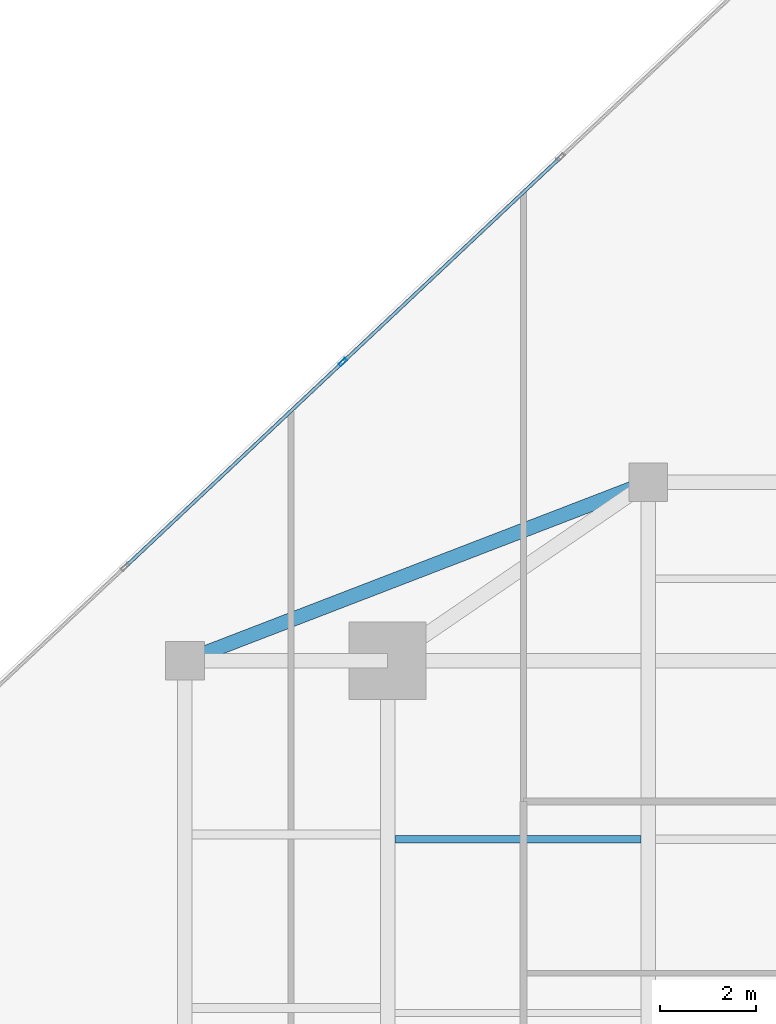
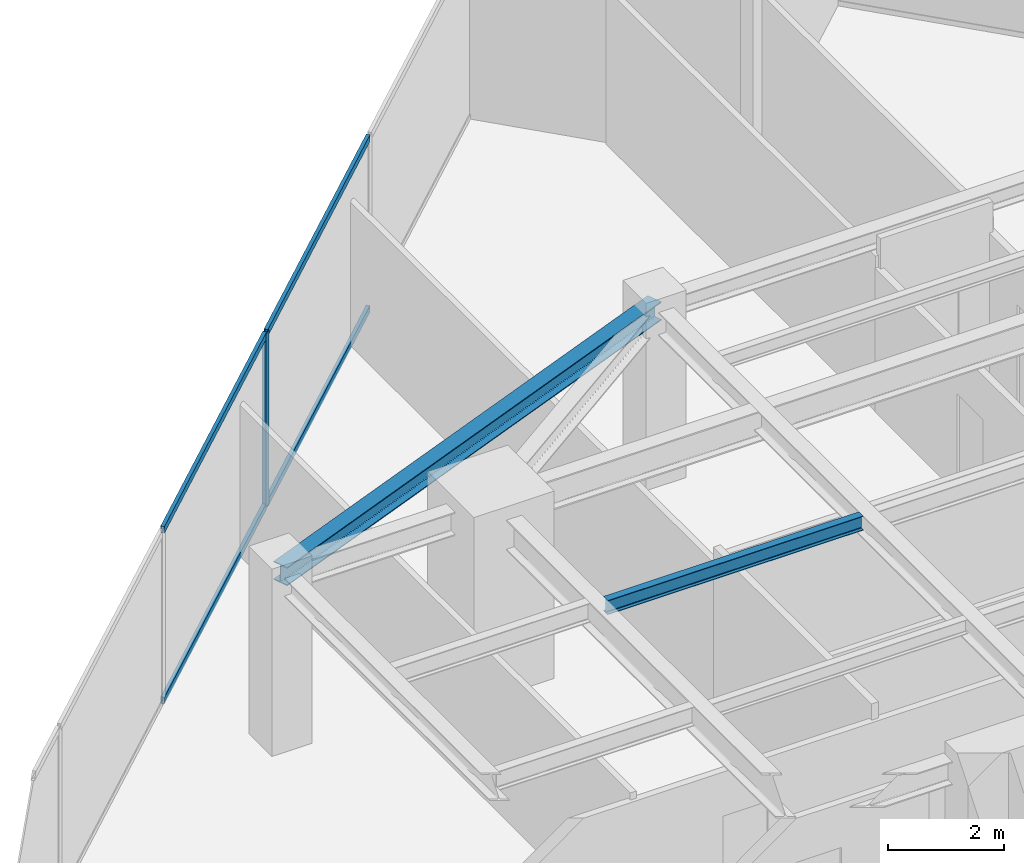
# One storey, part 14 of 25: 5 members, 2 beams, 1 element without a shape of its own.
"""IFC4 building model written with IfcOpenShell, lengths in metres."""

from ifc_helpers import new_model, si_unit, direction, frame, origin, origin_2d, place, context, subcontext, project, spatial, hollow_rectangle, i_section, extrude, source, transform, mapped, material, material_profile, profile_set, type_object, type_shapes, element, aggregate, save


model = new_model("IFC4")

# Units and contexts
model_context = context("Model", 3, precision=1e-05, world=origin(), true_north=direction((0.0, 1.0)))
body_context = subcontext(model_context, "Body", "Model", "MODEL_VIEW")
ifc_project = project(units=[si_unit("LENGTHUNIT", "METRE"), si_unit("AREAUNIT", "SQUARE_METRE"), si_unit("VOLUMEUNIT", "CUBIC_METRE"), si_unit("PLANEANGLEUNIT", "RADIAN"), si_unit("MASSUNIT", "GRAM", prefix="KILO")], contexts=[model_context])

# Site, building, storey
site_placement = place(None, origin())
site = spatial("IfcSite", under=ifc_project, at=site_placement, CompositionType="ELEMENT")
building_placement = place(site_placement, origin())
building = spatial("IfcBuilding", under=site, at=building_placement, Name="Krantzveldt Concourse Tower", CompositionType="ELEMENT")
storey_placement = place(building_placement, frame((0.0, 0.0, 238.89990234375)))
storey = spatial("IfcBuildingStorey", under=building, at=storey_placement, Name="L58", CompositionType="ELEMENT", Elevation=238.89990234375)

# Beams
ifc_material_1 = material(Name="Steel S355JR", Category="steel")
ifc_material_profile_1 = material_profile(ifc_material_1, i_section(OverallWidth=0.300048828125, OverallDepth=0.389892578125, WebThickness=0.010986328125, FlangeThickness=0.01904296875, FilletRadius=0.027099609375, at=origin_2d()), Name="Steel S355JR", Category="steel")
ifc_profile_set_1 = profile_set([ifc_material_profile_1], Name="Steel S355JR - HEA 400")
beam_type_1 = type_object("IfcBeamType", Name="BM-SP-HEA400", PredefinedType="SPANDREL", material=ifc_profile_set_1)
shared_shape_1 = source(origin(), body_context, "Body", "SweptSolid", [
    extrude(i_section(OverallWidth=0.300048828125, OverallDepth=0.389892578125, WebThickness=0.010986328125, FlangeThickness=0.01904296875, FilletRadius=0.027099609375, at=origin_2d()), origin(), (0.0, 0.0, 1.0), 10.288330078125),
])
type_shapes(beam_type_1, [shared_shape_1])
beam_1_placement = place(storey_placement, frame((21.0, 37.5, 3.47509765625), z_axis=(0.933097690408, 0.359622997257, 0.0), x_axis=(-0.359622997257, 0.933097690408, 0.0)))
element("IfcBeam", 1, at=beam_1_placement, inside=storey, type_object=beam_type_1, Name="L58 Tower Girder SP-R03", PredefinedType="SPANDREL", context=body_context, shape_type="MappedRepresentation", body=[
    mapped(shared_shape_1, transform((0.0, 0.0, 0.0), x_axis=(1.0, 0.0, 0.0), y_axis=(0.0, 1.0, 0.0), z_axis=(0.0, 0.0, 1.0), scale=1.0)),
])
ifc_material_profile_2 = material_profile(ifc_material_1, i_section(OverallWidth=0.14990234375, OverallDepth=0.300048828125, WebThickness=0.007080078125, FlangeThickness=0.0107421875, FilletRadius=0.014892578125, at=origin_2d()), Name="Steel S355JR", Category="steel")
ifc_profile_set_2 = profile_set([ifc_material_profile_2], Name="Steel S355JR - IPE 300")
beam_type_2 = type_object("IfcBeamType", Name="BM-J-IPE300", PredefinedType="JOIST", material=ifc_profile_set_2)
shared_shape_2 = source(origin(), body_context, "Body", "SweptSolid", [
    extrude(i_section(OverallWidth=0.14990234375, OverallDepth=0.300048828125, WebThickness=0.007080078125, FlangeThickness=0.0107421875, FilletRadius=0.014892578125, at=origin_2d()), origin(), (0.0, 0.0, 1.0), 5.099853515625),
])
type_shapes(beam_type_2, [shared_shape_2])
beam_2_placement = place(storey_placement, frame((25.35009765625, 33.800048828125, 3.52001953125), z_axis=(1.0, 0.0, 0.0), x_axis=(0.0, 1.0, 0.0)))
element("IfcBeam", 2, at=beam_2_placement, inside=storey, type_object=beam_type_2, Name="L58 Secondary Floor Joist JN-W2", PredefinedType="JOIST", context=body_context, shape_type="MappedRepresentation", body=[
    mapped(shared_shape_2, transform((0.0, 0.0, 0.0), x_axis=(1.0, 0.0, 0.0), y_axis=(0.0, 1.0, 0.0), z_axis=(0.0, 0.0, 1.0), scale=1.0)),
])

# Curtain wall, members
ifc_material_2 = material(Name="Anodised aluminium 6063-T6", Category="aluminium")
curtain_wall_type = type_object("IfcCurtainWallType", Name="CW3", PredefinedType="USERDEFINED", material=ifc_material_2)
curtain_wall_placement = place(storey_placement, origin())
curtain_wall = element("IfcCurtainWall", 3, at=curtain_wall_placement, inside=storey, type_object=curtain_wall_type, Name="CW-L58-F01", ObjectType="UNITISED CURTAIN WALL", PredefinedType="USERDEFINED")
ifc_material_profile_3 = material_profile(ifc_material_2, hollow_rectangle(XDim=0.070068359375, YDim=0.179931640625, WallThickness=0.0048828125, at=origin_2d()), Name="Anodised aluminium 6063-T6", Category="aluminium")
ifc_profile_set_3 = profile_set([ifc_material_profile_3], Name="Anodised aluminium 6063-T6 - ALU-MULL 180x70x5")
member_type_1 = type_object("IfcMemberType", Name="CW-MUL-180", PredefinedType="MULLION", material=ifc_profile_set_3)
shared_shape_3 = source(origin(), body_context, "Body", "SweptSolid", [
    extrude(hollow_rectangle(XDim=0.070068359375, YDim=0.179931640625, WallThickness=0.0048828125, at=origin_2d()), origin(), (0.0, 0.0, 1.0), 3.670166015625),
])
type_shapes(member_type_1, [shared_shape_3])
member_1_placement = place(storey_placement, frame((24.2734375, 43.690185546875, 0.0), z_axis=(0.0, 0.0, 1.0), x_axis=(0.685182945184, -0.728371012348, 0.0)))
member_1 = element("IfcMember", 4, at=member_1_placement, type_object=member_type_1, Name="CW-Z34 mullion 3", PredefinedType="MULLION", context=body_context, shape_type="MappedRepresentation", body=[
    mapped(shared_shape_3, transform((0.0, 0.0, 0.0), x_axis=(1.0, 0.0, 0.0), y_axis=(0.0, 1.0, 0.0), z_axis=(0.0, 0.0, 1.0), scale=1.0)),
])
ifc_material_profile_4 = material_profile(ifc_material_2, hollow_rectangle(XDim=0.070068359375, YDim=0.139892578125, WallThickness=0.0048828125, at=origin_2d()), Name="Anodised aluminium 6063-T6", Category="aluminium")
ifc_profile_set_4 = profile_set([ifc_material_profile_4], Name="Anodised aluminium 6063-T6 - ALU-TRAN 140x70x5")
member_type_2 = type_object("IfcMemberType", Name="CW-TRN-150", PredefinedType="USERDEFINED", material=ifc_profile_set_4)
shared_shape_4 = source(origin(), body_context, "Body", "SweptSolid", [
    extrude(hollow_rectangle(XDim=0.070068359375, YDim=0.139892578125, WallThickness=0.0048828125, at=origin_2d()), origin(), (0.0, 0.0, 1.0), 6.1298828125),
])
type_shapes(member_type_2, [shared_shape_4])
member_2_placement = place(storey_placement, frame((28.763671875, 47.914306640625, 0.03515625), z_axis=(-0.72836366623, -0.685190754255, 0.0), x_axis=(0.685190754255, -0.72836366623, 0.0)))
member_2 = element("IfcMember", 5, at=member_2_placement, type_object=member_type_2, Name="CW-Z34 transom 2.1", ObjectType="TRANSOM", PredefinedType="USERDEFINED", context=body_context, shape_type="MappedRepresentation", body=[
    mapped(shared_shape_4, transform((0.0, 0.0, 0.0), x_axis=(1.0, 0.0, 0.0), y_axis=(0.0, 1.0, 0.0), z_axis=(0.0, 0.0, 1.0), scale=1.0)),
])
member_3_placement = place(storey_placement, frame((28.763671875, 47.914306640625, 3.635009765625), z_axis=(-0.72836366623, -0.685190754255, 0.0), x_axis=(0.685190754255, -0.72836366623, 0.0)))
member_3 = element("IfcMember", 6, at=member_3_placement, type_object=member_type_2, Name="CW-Z34 transom 2.2", ObjectType="TRANSOM", PredefinedType="USERDEFINED", context=body_context, shape_type="MappedRepresentation", body=[
    mapped(shared_shape_4, transform((0.0, 0.0, 0.0), x_axis=(1.0, 0.0, 0.0), y_axis=(0.0, 1.0, 0.0), z_axis=(0.0, 0.0, 1.0), scale=1.0)),
])
member_4_placement = place(storey_placement, frame((24.247802734375, 43.666259765625, 0.03515625), z_axis=(-0.72836366623, -0.685190754255, 0.0), x_axis=(0.685190754255, -0.72836366623, 0.0)))
member_4 = element("IfcMember", 7, at=member_4_placement, type_object=member_type_2, Name="CW-Z34 transom 3.1", ObjectType="TRANSOM", PredefinedType="USERDEFINED", context=body_context, shape_type="MappedRepresentation", body=[
    mapped(shared_shape_4, transform((0.0, 0.0, 0.0), x_axis=(1.0, 0.0, 0.0), y_axis=(0.0, 1.0, 0.0), z_axis=(0.0, 0.0, 1.0), scale=1.0)),
])
member_5_placement = place(storey_placement, frame((24.247802734375, 43.666259765625, 3.635009765625), z_axis=(-0.72836366623, -0.685190754255, 0.0), x_axis=(0.685190754255, -0.72836366623, 0.0)))
member_5 = element("IfcMember", 8, at=member_5_placement, type_object=member_type_2, Name="CW-Z34 transom 3.2", ObjectType="TRANSOM", PredefinedType="USERDEFINED", context=body_context, shape_type="MappedRepresentation", body=[
    mapped(shared_shape_4, transform((0.0, 0.0, 0.0), x_axis=(1.0, 0.0, 0.0), y_axis=(0.0, 1.0, 0.0), z_axis=(0.0, 0.0, 1.0), scale=1.0)),
])
aggregate(curtain_wall, [member_1, member_2, member_3, member_4, member_5])

save(model, "model.ifc")
